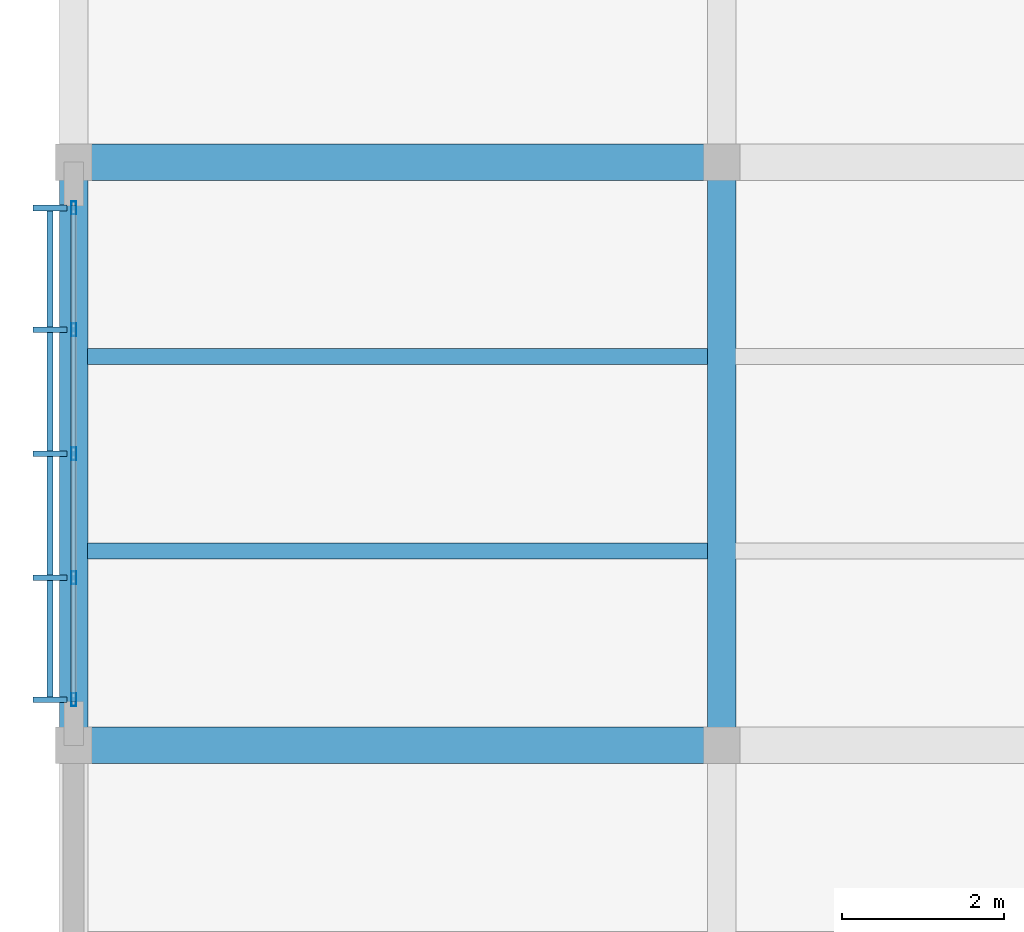
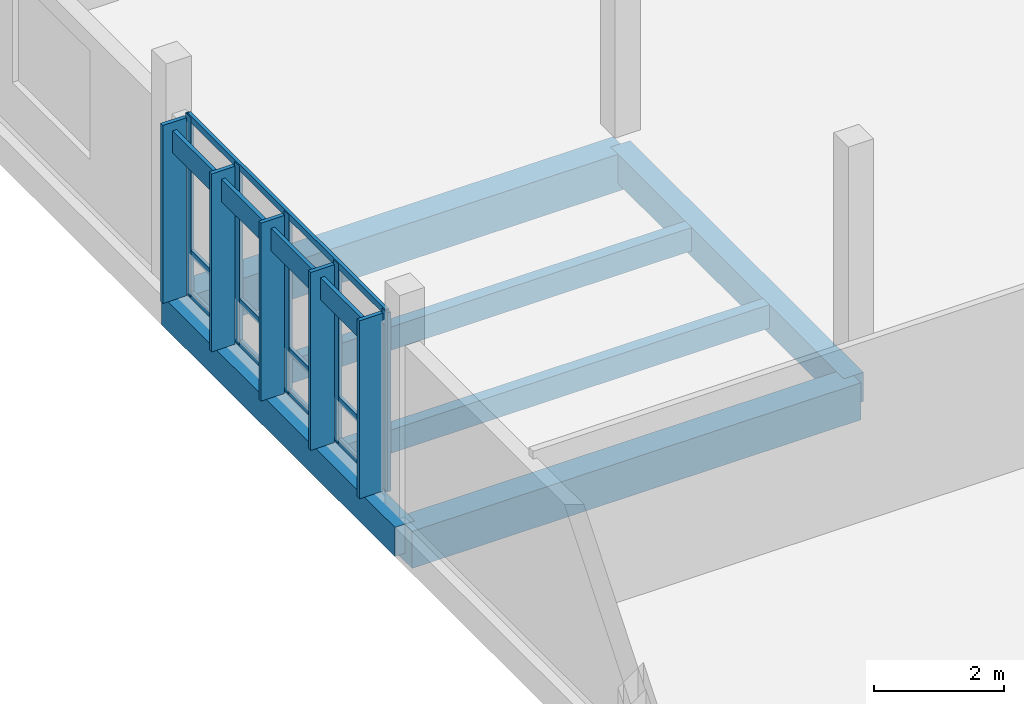
# One storey, part 70 of 182: 14 members, 6 beams, 1 element without a shape of its own.
"""IFC4 building model written with IfcOpenShell, lengths in metres."""

from ifc_helpers import new_model, si_unit, direction, frame, origin, origin_2d, place, context, subcontext, project, spatial, rectangle, hollow_rectangle, extrude, material, material_profile, profile_set, type_object, element, aggregate, save


model = new_model("IFC4")

# Units and contexts
model_context = context("Model", 3, precision=1e-05, world=origin(), true_north=direction((0.0, 1.0)))
body_context = subcontext(model_context, "Body", "Model", "MODEL_VIEW")
ifc_project = project(units=[si_unit("LENGTHUNIT", "METRE"), si_unit("AREAUNIT", "SQUARE_METRE"), si_unit("VOLUMEUNIT", "CUBIC_METRE"), si_unit("PLANEANGLEUNIT", "RADIAN"), si_unit("MASSUNIT", "GRAM", prefix="KILO")], contexts=[model_context])

# Site, building, storey
site_placement = place(None, origin())
site = spatial("IfcSite", under=ifc_project, at=site_placement, CompositionType="ELEMENT")
building_placement = place(site_placement, origin())
building = spatial("IfcBuilding", under=site, at=building_placement, Name="Chiffa Square Polytechnic", CompositionType="ELEMENT")
storey_placement = place(building_placement, frame((0.0, 0.0, 9.60009765625)))
storey = spatial("IfcBuildingStorey", under=building, at=storey_placement, Name="L02", CompositionType="ELEMENT", Elevation=9.60009765625)

# Beams
ifc_material_1 = material(Name="Concrete C35/45", Category="concrete")
ifc_material_profile_1 = material_profile(ifc_material_1, rectangle(XDim=0.35009765625, YDim=0.550048828125, at=origin_2d()), Name="RC 350x550")
ifc_profile_set_1 = profile_set([ifc_material_profile_1], Name="Concrete C35/45")
beam_type_1 = type_object("IfcBeamType", Name="BM-RC-350X550", PredefinedType="BEAM", material=ifc_profile_set_1)
for number, where, z_axis, x_axis, name in (
    (1, (0.0, 79.800048828125, -0.59521484375), (0.0, 1.0, 0.0), (-1.0, 0.0, 0.0), "Primary floor girder BM-V6-L02-Y-0000-0798"),
    (2, (8.0, 79.800048828125, -0.59521484375), (0.0, 1.0, 0.0), (-1.0, 0.0, 0.0), "Primary floor girder BM-V6-L02-Y-0080-0798"),
):
    element("IfcBeam", number, at=place(storey_placement, frame(where, z_axis=z_axis, x_axis=x_axis)), inside=storey, type_object=beam_type_1, Name=name, PredefinedType="BEAM", context=body_context, shape_type="SweptSolid", body=[
        extrude(rectangle(XDim=0.35009765625, YDim=0.550048828125, at=origin_2d()), origin(), (0.0, 0.0, 1.0), 7.199951171875),
    ])
ifc_material_profile_2 = material_profile(ifc_material_1, rectangle(XDim=0.449951171875, YDim=0.699951171875, at=origin_2d()), Name="RC 450x700")
ifc_profile_set_2 = profile_set([ifc_material_profile_2], Name="Concrete C35/45")
beam_type_2 = type_object("IfcBeamType", Name="BM-RC-450X700", PredefinedType="BEAM", material=ifc_profile_set_2)
for number, where, z_axis, x_axis, name in (
    (3, (0.0, 79.800048828125, -0.670166015625), (1.0, 0.0, 0.0), (0.0, 1.0, 0.0), "Primary floor girder BM-V6-L02-X-0000-0798"),
    (4, (0.0, 87.0, -0.670166015625), (1.0, 0.0, 0.0), (0.0, 1.0, 0.0), "Primary floor girder BM-V6-L02-X-0000-0870"),
):
    element("IfcBeam", number, at=place(storey_placement, frame(where, z_axis=z_axis, x_axis=x_axis)), inside=storey, type_object=beam_type_2, Name=name, PredefinedType="BEAM", context=body_context, shape_type="SweptSolid", body=[
        extrude(rectangle(XDim=0.449951171875, YDim=0.699951171875, at=origin_2d()), origin(), (0.0, 0.0, 1.0), 8.0),
    ])

# Curtain wall, members
ifc_material_2 = material(Name="Aluminium EN AW-6060 T66 and glulam shading", Category="wood")
curtain_wall_type = type_object("IfcCurtainWallType", Name="CW-VERT-450X380", PredefinedType="USERDEFINED", material=ifc_material_2)
curtain_wall_placement = place(storey_placement, origin())
curtain_wall = element("IfcCurtainWall", 5, at=curtain_wall_placement, inside=storey, type_object=curtain_wall_type, Name="Curtain wall CW-V6-L02-266", ObjectType="CURTAIN WALL", PredefinedType="USERDEFINED")
ifc_material_3 = material(Name="Aluminium EN AW-6060 T66", Category="aluminium")
ifc_material_profile_3 = material_profile(ifc_material_3, hollow_rectangle(XDim=0.06005859375, YDim=0.159912109375, WallThickness=0.00390625, at=origin_2d()), Name="ALU 60x160x4")
ifc_profile_set_3 = profile_set([ifc_material_profile_3], Name="Aluminium EN AW-6060 T66")
member_type_1 = type_object("IfcMemberType", Name="CWM-ALU-65X150", PredefinedType="MULLION", material=ifc_profile_set_3)
member_1_placement = place(storey_placement, frame((0.0, 86.43505859375, 0.0), z_axis=(0.0, 0.0, 1.0), x_axis=(1.0, 0.0, 0.0)))
member_1 = element("IfcMember", 6, at=member_1_placement, type_object=member_type_1, Name="Curtain wall mullion CW-V6-L02-266-M00", PredefinedType="MULLION", context=body_context, shape_type="SweptSolid", body=[
    extrude(hollow_rectangle(XDim=0.06005859375, YDim=0.159912109375, WallThickness=0.00390625, at=origin_2d()), origin(), (0.0, 0.0, 1.0), 3.375),
])
member_2_placement = place(storey_placement, frame((0.0, 84.929931640625, 0.0), z_axis=(0.0, 0.0, 1.0), x_axis=(1.0, 0.0, 0.0)))
member_2 = element("IfcMember", 7, at=member_2_placement, type_object=member_type_1, Name="Curtain wall mullion CW-V6-L02-266-M01", PredefinedType="MULLION", context=body_context, shape_type="SweptSolid", body=[
    extrude(hollow_rectangle(XDim=0.06005859375, YDim=0.159912109375, WallThickness=0.00390625, at=origin_2d()), origin(), (0.0, 0.0, 1.0), 3.375),
])
member_3_placement = place(storey_placement, frame((0.0, 83.39990234375, 0.0), z_axis=(0.0, 0.0, 1.0), x_axis=(1.0, 0.0, 0.0)))
member_3 = element("IfcMember", 8, at=member_3_placement, type_object=member_type_1, Name="Curtain wall mullion CW-V6-L02-266-M02", PredefinedType="MULLION", context=body_context, shape_type="SweptSolid", body=[
    extrude(hollow_rectangle(XDim=0.06005859375, YDim=0.159912109375, WallThickness=0.00390625, at=origin_2d()), origin(), (0.0, 0.0, 1.0), 3.375),
])
member_4_placement = place(storey_placement, frame((0.0, 81.8701171875, 0.0), z_axis=(0.0, 0.0, 1.0), x_axis=(1.0, 0.0, 0.0)))
member_4 = element("IfcMember", 9, at=member_4_placement, type_object=member_type_1, Name="Curtain wall mullion CW-V6-L02-266-M03", PredefinedType="MULLION", context=body_context, shape_type="SweptSolid", body=[
    extrude(hollow_rectangle(XDim=0.06005859375, YDim=0.159912109375, WallThickness=0.00390625, at=origin_2d()), origin(), (0.0, 0.0, 1.0), 3.375),
])
member_5_placement = place(storey_placement, frame((0.0, 80.364990234375, 0.0), z_axis=(0.0, 0.0, 1.0), x_axis=(1.0, 0.0, 0.0)))
member_5 = element("IfcMember", 10, at=member_5_placement, type_object=member_type_1, Name="Curtain wall mullion CW-V6-L02-266-M04", PredefinedType="MULLION", context=body_context, shape_type="SweptSolid", body=[
    extrude(hollow_rectangle(XDim=0.06005859375, YDim=0.159912109375, WallThickness=0.00390625, at=origin_2d()), origin(), (0.0, 0.0, 1.0), 3.375),
])
ifc_material_4 = material(Name="Glulam GL28h", Category="wood")
ifc_material_profile_4 = material_profile(ifc_material_4, rectangle(XDim=0.070068359375, YDim=0.419921875, at=origin_2d()), Name="GL28h 70x420")
ifc_profile_set_4 = profile_set([ifc_material_profile_4], Name="Glulam GL28h")
member_type_2 = type_object("IfcMemberType", Name="CWM-GL-70X420", PredefinedType="MULLION", material=ifc_profile_set_4)
member_6_placement = place(storey_placement, frame((-0.2919921875, 86.43505859375, 0.010009765625), z_axis=(0.0, 0.0, 1.0), x_axis=(0.0, -1.0, 0.0)))
member_6 = element("IfcMember", 11, at=member_6_placement, type_object=member_type_2, Name="Exterior glulam solar fin CW-V6-L02-266-FN00", PredefinedType="MULLION", context=body_context, shape_type="SweptSolid", body=[
    extrude(rectangle(XDim=0.070068359375, YDim=0.419921875, at=origin_2d()), origin(), (0.0, 0.0, 1.0), 3.35498046875),
])
member_7_placement = place(storey_placement, frame((-0.2919921875, 84.929931640625, 0.010009765625), z_axis=(0.0, 0.0, 1.0), x_axis=(0.0, -1.0, 0.0)))
member_7 = element("IfcMember", 12, at=member_7_placement, type_object=member_type_2, Name="Exterior glulam solar fin CW-V6-L02-266-FN01", PredefinedType="MULLION", context=body_context, shape_type="SweptSolid", body=[
    extrude(rectangle(XDim=0.070068359375, YDim=0.419921875, at=origin_2d()), origin(), (0.0, 0.0, 1.0), 3.35498046875),
])
member_8_placement = place(storey_placement, frame((-0.2919921875, 83.39990234375, 0.010009765625), z_axis=(0.0, 0.0, 1.0), x_axis=(0.0, -1.0, 0.0)))
member_8 = element("IfcMember", 13, at=member_8_placement, type_object=member_type_2, Name="Exterior glulam solar fin CW-V6-L02-266-FN02", PredefinedType="MULLION", context=body_context, shape_type="SweptSolid", body=[
    extrude(rectangle(XDim=0.070068359375, YDim=0.419921875, at=origin_2d()), origin(), (0.0, 0.0, 1.0), 3.35498046875),
])
member_9_placement = place(storey_placement, frame((-0.2919921875, 81.8701171875, 0.010009765625), z_axis=(0.0, 0.0, 1.0), x_axis=(0.0, -1.0, 0.0)))
member_9 = element("IfcMember", 14, at=member_9_placement, type_object=member_type_2, Name="Exterior glulam solar fin CW-V6-L02-266-FN03", PredefinedType="MULLION", context=body_context, shape_type="SweptSolid", body=[
    extrude(rectangle(XDim=0.070068359375, YDim=0.419921875, at=origin_2d()), origin(), (0.0, 0.0, 1.0), 3.35498046875),
])
member_10_placement = place(storey_placement, frame((-0.2919921875, 80.364990234375, 0.010009765625), z_axis=(0.0, 0.0, 1.0), x_axis=(0.0, -1.0, 0.0)))
member_10 = element("IfcMember", 15, at=member_10_placement, type_object=member_type_2, Name="Exterior glulam solar fin CW-V6-L02-266-FN04", PredefinedType="MULLION", context=body_context, shape_type="SweptSolid", body=[
    extrude(rectangle(XDim=0.070068359375, YDim=0.419921875, at=origin_2d()), origin(), (0.0, 0.0, 1.0), 3.35498046875),
])
ifc_material_profile_5 = material_profile(ifc_material_3, hollow_rectangle(XDim=0.06005859375, YDim=0.1201171875, WallThickness=0.00390625, at=origin_2d()), Name="ALU 60x120x4")
ifc_profile_set_5 = profile_set([ifc_material_profile_5], Name="Aluminium EN AW-6060 T66")
member_type_3 = type_object("IfcMemberType", Name="CWT-ALU-65X120", PredefinedType="USERDEFINED", material=ifc_profile_set_5)
member_11_placement = place(storey_placement, frame((0.0, 86.4619140625, 0.02978515625), z_axis=(0.0, -1.0, 0.0), x_axis=(1.0, 0.0, 0.0)))
member_11 = element("IfcMember", 16, at=member_11_placement, type_object=member_type_3, Name="Curtain wall transom CW-V6-L02-266-T01", ObjectType="TRANSOM", PredefinedType="USERDEFINED", context=body_context, shape_type="SweptSolid", body=[
    extrude(hollow_rectangle(XDim=0.06005859375, YDim=0.1201171875, WallThickness=0.00390625, at=origin_2d()), origin(), (0.0, 0.0, 1.0), 6.1240234375),
])
member_12_placement = place(storey_placement, frame((0.0, 86.4619140625, 0.81982421875), z_axis=(0.0, -1.0, 0.0), x_axis=(1.0, 0.0, 0.0)))
member_12 = element("IfcMember", 17, at=member_12_placement, type_object=member_type_3, Name="Curtain wall transom CW-V6-L02-266-T02", ObjectType="TRANSOM", PredefinedType="USERDEFINED", context=body_context, shape_type="SweptSolid", body=[
    extrude(hollow_rectangle(XDim=0.06005859375, YDim=0.1201171875, WallThickness=0.00390625, at=origin_2d()), origin(), (0.0, 0.0, 1.0), 6.1240234375),
])
member_13_placement = place(storey_placement, frame((0.0, 86.4619140625, 3.344970703125), z_axis=(0.0, -1.0, 0.0), x_axis=(1.0, 0.0, 0.0)))
member_13 = element("IfcMember", 18, at=member_13_placement, type_object=member_type_3, Name="Curtain wall transom CW-V6-L02-266-T03", ObjectType="TRANSOM", PredefinedType="USERDEFINED", context=body_context, shape_type="SweptSolid", body=[
    extrude(hollow_rectangle(XDim=0.06005859375, YDim=0.1201171875, WallThickness=0.00390625, at=origin_2d()), origin(), (0.0, 0.0, 1.0), 6.1240234375),
])
ifc_material_profile_6 = material_profile(ifc_material_4, rectangle(XDim=0.070068359375, YDim=0.419921875, at=origin_2d()), Name="GL28h 70x420")
ifc_profile_set_6 = profile_set([ifc_material_profile_6], Name="Glulam GL28h")
member_type_4 = type_object("IfcMemberType", Name="CWT-GL-70X420", PredefinedType="USERDEFINED", material=ifc_profile_set_6)
member_14_placement = place(storey_placement, frame((-0.2919921875, 86.43505859375, 2.994873046875), z_axis=(0.0, -1.0, 0.0), x_axis=(1.0, 0.0, 0.0)))
member_14 = element("IfcMember", 19, at=member_14_placement, type_object=member_type_4, Name="Exterior glulam brise-soleil CW-V6-L02-266-BS01", ObjectType="TRANSOM", PredefinedType="USERDEFINED", context=body_context, shape_type="SweptSolid", body=[
    extrude(rectangle(XDim=0.070068359375, YDim=0.419921875, at=origin_2d()), origin(), (0.0, 0.0, 1.0), 6.070068359375),
])
aggregate(curtain_wall, [member_1, member_6, member_2, member_7, member_3, member_8, member_4, member_9, member_5, member_10, member_11, member_12, member_13, member_14])

# Beams
ifc_material_profile_7 = material_profile(ifc_material_4, rectangle(XDim=0.199951171875, YDim=0.43994140625, at=origin_2d()), Name="GL28h 200x440")
ifc_profile_set_7 = profile_set([ifc_material_profile_7], Name="Glulam GL28h")
beam_type_3 = type_object("IfcBeamType", Name="JST-GL-200X440", PredefinedType="JOIST", material=ifc_profile_set_7)
for number, where, z_axis, x_axis, name in (
    (20, (0.173095703125, 82.199951171875, -0.5400390625), (1.0, 0.0, 0.0), (0.0, 1.0, 0.0), "Secondary floor joist JST-V6-L02-0000-0822"),
    (21, (0.173095703125, 84.60009765625, -0.5400390625), (1.0, 0.0, 0.0), (0.0, 1.0, 0.0), "Secondary floor joist JST-V6-L02-0000-0846"),
):
    element("IfcBeam", number, at=place(storey_placement, frame(where, z_axis=z_axis, x_axis=x_axis)), inside=storey, type_object=beam_type_3, Name=name, PredefinedType="JOIST", context=body_context, shape_type="SweptSolid", body=[
        extrude(rectangle(XDim=0.199951171875, YDim=0.43994140625, at=origin_2d()), origin(), (0.0, 0.0, 1.0), 7.65380859375),
    ])

save(model, "model.ifc")
